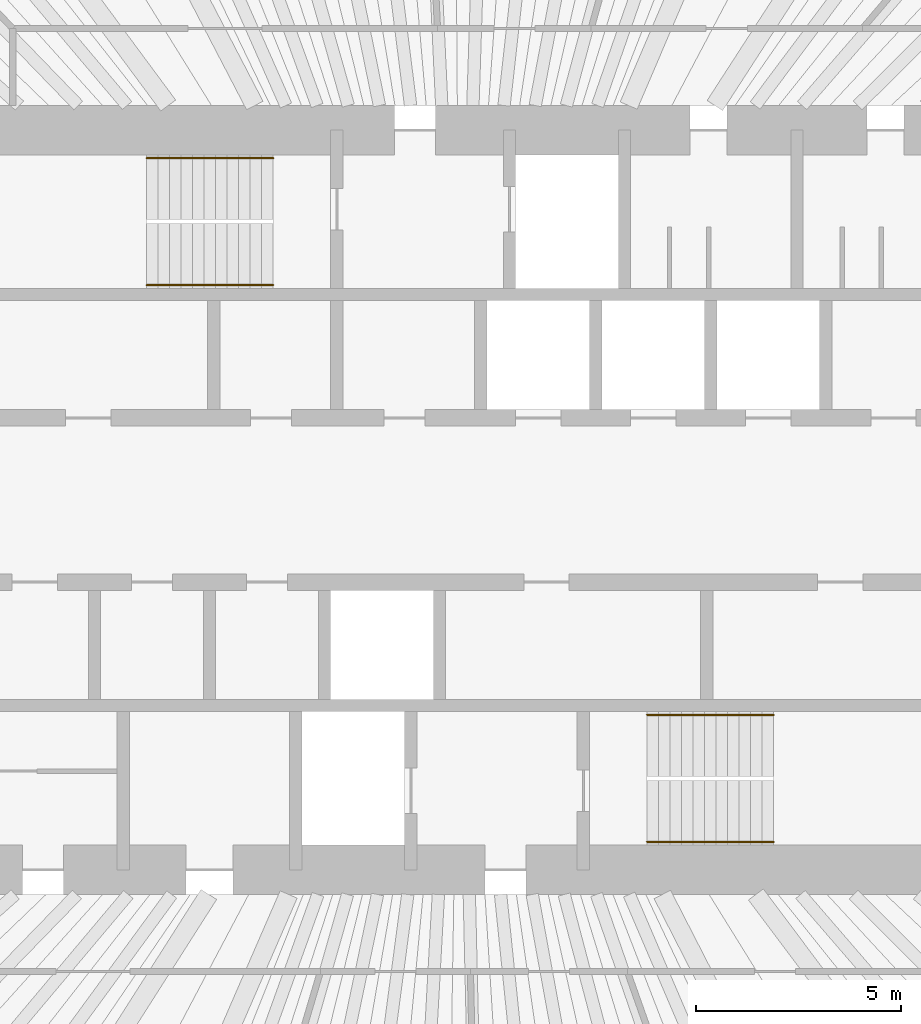
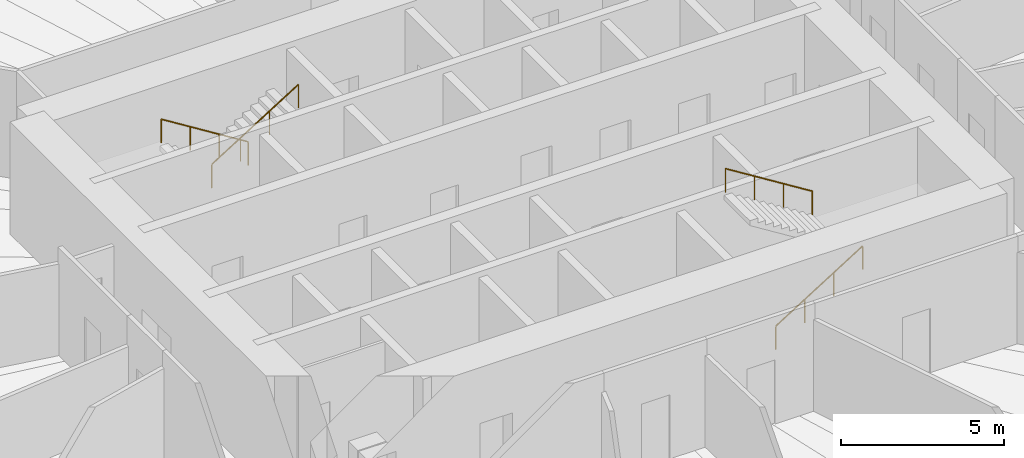
# One storey, part 13 of 13: 4 railings.
"""IFC4 building model written with IfcOpenShell, lengths in metres."""

from ifc_helpers import new_model, si_unit, direction, frame, origin, origin_2d, place, context, subcontext, project, spatial, circle, extrude, material, type_object, element, save


model = new_model("IFC4")

# Units and contexts
model_context = context("Model", 3, precision=1e-05, world=origin(), true_north=direction((0.0, 1.0)))
body_context = subcontext(model_context, "Body", "Model", "MODEL_VIEW")
ifc_project = project(units=[si_unit("LENGTHUNIT", "METRE"), si_unit("AREAUNIT", "SQUARE_METRE"), si_unit("VOLUMEUNIT", "CUBIC_METRE"), si_unit("PLANEANGLEUNIT", "RADIAN"), si_unit("MASSUNIT", "GRAM", prefix="KILO")], contexts=[model_context])

# Site, building, storey
site_placement = place(None, origin())
site = spatial("IfcSite", under=ifc_project, at=site_placement, CompositionType="ELEMENT")
building_placement = place(site_placement, origin())
building = spatial("IfcBuilding", under=site, at=building_placement, Name="Qingtian Harvest Tower", CompositionType="ELEMENT")
storey_placement = place(building_placement, frame((0.0, 0.0, 214.0)))
storey = spatial("IfcBuildingStorey", under=building, at=storey_placement, Name="L46", CompositionType="ELEMENT", Elevation=214.0)

# Railings
ifc_material = material(Name="Stainless steel handrail", Category="steel")
railing_type = type_object("IfcRailingType", Name="Handrail HR1", PredefinedType="HANDRAIL", material=ifc_material)
railing_1_placement = place(storey_placement, frame((-4.550048828125, 8.320068359375, 0.175048828125)))
element("IfcRailing", 1, at=railing_1_placement, inside=storey, type_object=railing_type, Name="Handrail HR1 S1 flight 1", PredefinedType="HANDRAIL", context=body_context, shape_type="SweptSolid", body=[
    extrude(circle(Radius=0.02392578125, at=origin_2d()), frame((0.0, 0.0, 0.8759765625), z_axis=(-0.847979421464, 0.0, 0.530029150871), x_axis=(0.0, -1.0, 0.0)), (0.0, 0.0, 1.0), 3.632080078125),
    extrude(circle(Radius=0.02099609375, at=origin_2d()), origin(), (0.0, 0.0, 1.0), 0.851806640625),
    extrude(circle(Radius=0.02099609375, at=origin_2d()), frame((-1.026611328125, 0.0, 0.6416015625)), (0.0, 0.0, 1.0), 0.851806640625),
    extrude(circle(Radius=0.02099609375, at=origin_2d()), frame((-2.05322265625, 0.0, 1.283447265625)), (0.0, 0.0, 1.0), 0.851806640625),
    extrude(circle(Radius=0.02099609375, at=origin_2d()), frame((-3.079833984375, 0.0, 1.925048828125)), (0.0, 0.0, 1.0), 0.851806640625),
])
for number, where, name in (
    (2, (-7.6298828125, 5.22998046875, 2.27490234375), "Handrail HR1 S1 flight 2"),
    (3, (4.550048828125, -8.320068359375, 0.175048828125), "Handrail HR1 S2 flight 1"),
):
    element("IfcRailing", number, at=place(storey_placement, frame(where)), inside=storey, type_object=railing_type, Name=name, PredefinedType="HANDRAIL", context=body_context, shape_type="SweptSolid", body=[
        extrude(circle(Radius=0.02392578125, at=origin_2d()), frame((0.0, 0.0, 0.8759765625), z_axis=(0.847979421464, 0.0, 0.530029150871), x_axis=(0.0, 1.0, 0.0)), (0.0, 0.0, 1.0), 3.632080078125),
        extrude(circle(Radius=0.02099609375, at=origin_2d()), origin(), (0.0, 0.0, 1.0), 0.851806640625),
        extrude(circle(Radius=0.02099609375, at=origin_2d()), frame((1.026611328125, 0.0, 0.6416015625)), (0.0, 0.0, 1.0), 0.851806640625),
        extrude(circle(Radius=0.02099609375, at=origin_2d()), frame((2.05322265625, 0.0, 1.283447265625)), (0.0, 0.0, 1.0), 0.851806640625),
        extrude(circle(Radius=0.02099609375, at=origin_2d()), frame((3.079833984375, 0.0, 1.925048828125)), (0.0, 0.0, 1.0), 0.851806640625),
    ])
railing_2_placement = place(storey_placement, frame((7.6298828125, -5.22998046875, 2.27490234375)))
element("IfcRailing", 4, at=railing_2_placement, inside=storey, type_object=railing_type, Name="Handrail HR1 S2 flight 2", PredefinedType="HANDRAIL", context=body_context, shape_type="SweptSolid", body=[
    extrude(circle(Radius=0.02392578125, at=origin_2d()), frame((0.0, 0.0, 0.8759765625), z_axis=(-0.847979421464, 0.0, 0.530029150871), x_axis=(0.0, -1.0, 0.0)), (0.0, 0.0, 1.0), 3.632080078125),
    extrude(circle(Radius=0.02099609375, at=origin_2d()), origin(), (0.0, 0.0, 1.0), 0.851806640625),
    extrude(circle(Radius=0.02099609375, at=origin_2d()), frame((-1.026611328125, 0.0, 0.6416015625)), (0.0, 0.0, 1.0), 0.851806640625),
    extrude(circle(Radius=0.02099609375, at=origin_2d()), frame((-2.05322265625, 0.0, 1.283447265625)), (0.0, 0.0, 1.0), 0.851806640625),
    extrude(circle(Radius=0.02099609375, at=origin_2d()), frame((-3.079833984375, 0.0, 1.925048828125)), (0.0, 0.0, 1.0), 0.851806640625),
])

save(model, "model.ifc")
